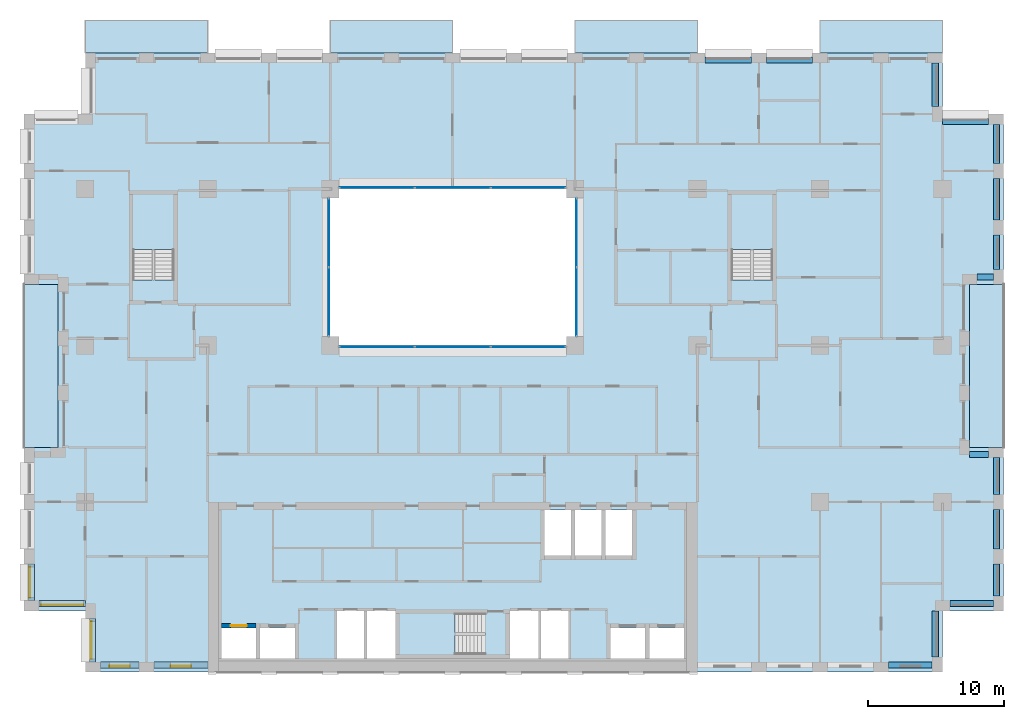
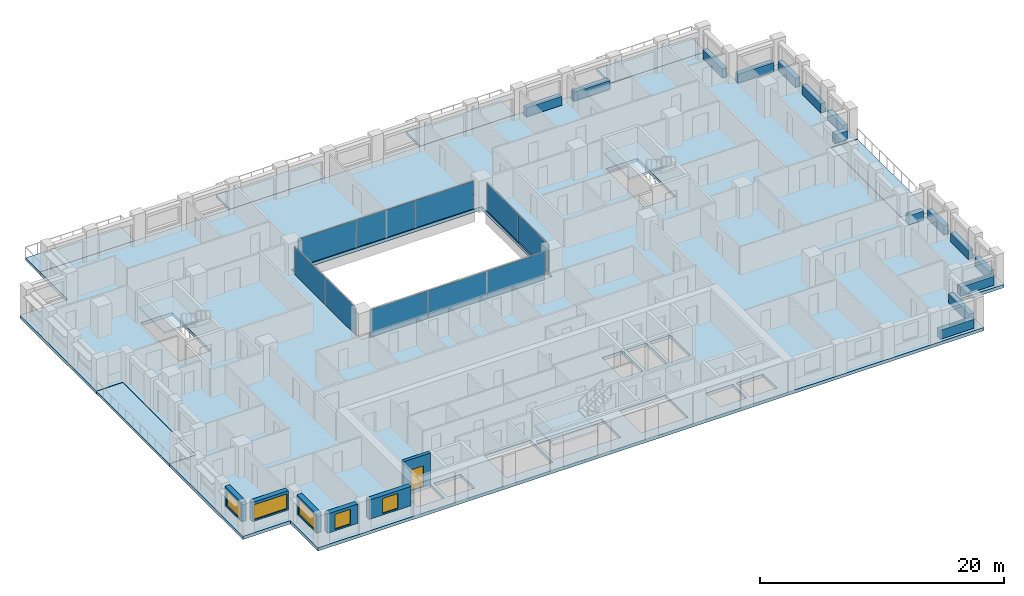
# One storey, part 7 of 16: 15 beams, 10 plates, 10 slabs, 6 walls, 5 windows, 1 door, 6 openings, 7 elements without a shape of their own.
"""IFC4 building model written with IfcOpenShell, lengths in metres."""

from ifc_helpers import new_model, si_unit, direction, frame, frame_2d, origin, origin_2d, place, context, subcontext, project, spatial, polyline, rectangle, outline, extrude, material, layer, layer_set, material_profile, profile_set, type_object, element, fill, aggregate, save


model = new_model("IFC4")

# Units and contexts
model_context = context("Model", 3, precision=1e-05, world=origin(), true_north=direction((0.0, 1.0)))
body_context = subcontext(model_context, "Body", "Model", "MODEL_VIEW")
ifc_project = project(units=[si_unit("LENGTHUNIT", "METRE"), si_unit("AREAUNIT", "SQUARE_METRE"), si_unit("VOLUMEUNIT", "CUBIC_METRE"), si_unit("PLANEANGLEUNIT", "RADIAN"), si_unit("MASSUNIT", "GRAM", prefix="KILO")], contexts=[model_context])

# Site, building, storey
site_placement = place(None, origin())
site = spatial("IfcSite", under=ifc_project, at=site_placement, CompositionType="ELEMENT")
building_placement = place(site_placement, origin())
building = spatial("IfcBuilding", under=site, at=building_placement, Name="Brigalow Station Residences", CompositionType="ELEMENT")
storey_placement = place(building_placement, frame((0.0, 0.0, 102.449951171875)))
storey = spatial("IfcBuildingStorey", under=building, at=storey_placement, Name="L29", CompositionType="ELEMENT", Elevation=102.449951171875)

# Beams
ifc_material_1 = material(Name="Concrete C65", Category="concrete")
ifc_material_profile = material_profile(ifc_material_1, rectangle(XDim=0.449951171875, YDim=0.89990234375, at=origin_2d()), Name="RC450x900")
ifc_profile_set = profile_set([ifc_material_profile], Name="Concrete C65")
beam_type = type_object("IfcBeamType", Name="SPANDREL BEAM 450x900 C65", PredefinedType="SPANDREL", material=ifc_profile_set)
beam_1_placement = place(storey_placement, frame((68.050048828125, 0.52490234375, 0.449951171875), z_axis=(1.0, 0.0, 0.0), x_axis=(0.0, 1.0, 0.0)))
element("IfcBeam", 1, at=beam_1_placement, inside=storey, type_object=beam_type, Name="L29/spandrel/W-L29-7", PredefinedType="SPANDREL", context=body_context, shape_type="SweptSolid", body=[
    extrude(rectangle(XDim=0.449951171875, YDim=0.89990234375, at=origin_2d()), origin(), (0.0, 0.0, 1.0), 3.199951171875),
])
beam_2_placement = place(storey_placement, frame((71.47509765625, 1.10009765625, 0.449951171875), z_axis=(0.0, 1.0, 0.0), x_axis=(-1.0, 0.0, 0.0)))
element("IfcBeam", 2, at=beam_2_placement, inside=storey, type_object=beam_type, Name="L29/spandrel/W-L29-8", PredefinedType="SPANDREL", context=body_context, shape_type="SweptSolid", body=[
    extrude(rectangle(XDim=0.449951171875, YDim=0.89990234375, at=origin_2d()), origin(), (0.0, 0.0, 1.0), 3.39990234375),
])
beam_3_placement = place(storey_placement, frame((72.550048828125, 5.02490234375, 0.449951171875), z_axis=(1.0, 0.0, 0.0), x_axis=(0.0, 1.0, 0.0)))
element("IfcBeam", 3, at=beam_3_placement, inside=storey, type_object=beam_type, Name="L29/spandrel/W-L29-9", PredefinedType="SPANDREL", context=body_context, shape_type="SweptSolid", body=[
    extrude(rectangle(XDim=0.449951171875, YDim=0.89990234375, at=origin_2d()), origin(), (0.0, 0.0, 1.0), 3.199951171875),
])
beam_4_placement = place(storey_placement, frame((75.97509765625, 5.60009765625, 0.449951171875), z_axis=(0.0, 1.0, 0.0), x_axis=(-1.0, 0.0, 0.0)))
element("IfcBeam", 4, at=beam_4_placement, inside=storey, type_object=beam_type, Name="L29/spandrel/W-L29-10", PredefinedType="SPANDREL", context=body_context, shape_type="SweptSolid", body=[
    extrude(rectangle(XDim=0.449951171875, YDim=0.89990234375, at=origin_2d()), origin(), (0.0, 0.0, 1.0), 2.349853515625),
])
beam_5_placement = place(storey_placement, frame((75.97509765625, 9.050048828125, 0.449951171875), z_axis=(0.0, 1.0, 0.0), x_axis=(-1.0, 0.0, 0.0)))
element("IfcBeam", 5, at=beam_5_placement, inside=storey, type_object=beam_type, Name="L29/spandrel/W-L29-11", PredefinedType="SPANDREL", context=body_context, shape_type="SweptSolid", body=[
    extrude(rectangle(XDim=0.449951171875, YDim=0.89990234375, at=origin_2d()), origin(), (0.0, 0.0, 1.0), 2.89990234375),
])
beam_6_placement = place(storey_placement, frame((75.97509765625, 13.050048828125, 0.449951171875), z_axis=(0.0, 1.0, 0.0), x_axis=(-1.0, 0.0, 0.0)))
element("IfcBeam", 6, at=beam_6_placement, inside=storey, type_object=beam_type, Name="L29/spandrel/W-L29-12", PredefinedType="SPANDREL", context=body_context, shape_type="SweptSolid", body=[
    extrude(rectangle(XDim=0.449951171875, YDim=0.89990234375, at=origin_2d()), origin(), (0.0, 0.0, 1.0), 2.699951171875),
])
beam_7_placement = place(storey_placement, frame((75.39990234375, 15.97509765625, 0.449951171875), z_axis=(-1.0, 0.0, 0.0), x_axis=(0.0, -1.0, 0.0)))
element("IfcBeam", 7, at=beam_7_placement, inside=storey, type_object=beam_type, Name="L29/spandrel/W-L29-13", PredefinedType="SPANDREL", context=body_context, shape_type="SweptSolid", body=[
    extrude(rectangle(XDim=0.449951171875, YDim=0.89990234375, at=origin_2d()), origin(), (0.0, 0.0, 1.0), 1.39990234375),
])
beam_8_placement = place(storey_placement, frame((74.550048828125, 29.02490234375, 0.449951171875), z_axis=(1.0, 0.0, 0.0), x_axis=(0.0, 1.0, 0.0)))
element("IfcBeam", 8, at=beam_8_placement, inside=storey, type_object=beam_type, Name="L29/spandrel/W-L29-17", PredefinedType="SPANDREL", context=body_context, shape_type="SweptSolid", body=[
    extrude(rectangle(XDim=0.449951171875, YDim=0.89990234375, at=origin_2d()), origin(), (0.0, 0.0, 1.0), 1.199951171875),
])
beam_9_placement = place(storey_placement, frame((75.97509765625, 29.60009765625, 0.449951171875), z_axis=(0.0, 1.0, 0.0), x_axis=(-1.0, 0.0, 0.0)))
element("IfcBeam", 9, at=beam_9_placement, inside=storey, type_object=beam_type, Name="L29/spandrel/W-L29-18", PredefinedType="SPANDREL", context=body_context, shape_type="SweptSolid", body=[
    extrude(rectangle(XDim=0.449951171875, YDim=0.89990234375, at=origin_2d()), origin(), (0.0, 0.0, 1.0), 2.516845703125),
])
beam_10_placement = place(storey_placement, frame((75.97509765625, 33.217041015625, 0.449951171875), z_axis=(0.0, 1.0, 0.0), x_axis=(-1.0, 0.0, 0.0)))
element("IfcBeam", 10, at=beam_10_placement, inside=storey, type_object=beam_type, Name="L29/spandrel/W-L29-19", PredefinedType="SPANDREL", context=body_context, shape_type="SweptSolid", body=[
    extrude(rectangle(XDim=0.449951171875, YDim=0.89990234375, at=origin_2d()), origin(), (0.0, 0.0, 1.0), 3.06591796875),
])
beam_11_placement = place(storey_placement, frame((75.97509765625, 37.383056640625, 0.449951171875), z_axis=(0.0, 1.0, 0.0), x_axis=(-1.0, 0.0, 0.0)))
element("IfcBeam", 11, at=beam_11_placement, inside=storey, type_object=beam_type, Name="L29/spandrel/W-L29-20", PredefinedType="SPANDREL", context=body_context, shape_type="SweptSolid", body=[
    extrude(rectangle(XDim=0.449951171875, YDim=0.89990234375, at=origin_2d()), origin(), (0.0, 0.0, 1.0), 2.866943359375),
])
beam_12_placement = place(storey_placement, frame((75.39990234375, 40.47509765625, 0.449951171875), z_axis=(-1.0, 0.0, 0.0), x_axis=(0.0, -1.0, 0.0)))
element("IfcBeam", 12, at=beam_12_placement, inside=storey, type_object=beam_type, Name="L29/spandrel/W-L29-21", PredefinedType="SPANDREL", context=body_context, shape_type="SweptSolid", body=[
    extrude(rectangle(XDim=0.449951171875, YDim=0.89990234375, at=origin_2d()), origin(), (0.0, 0.0, 1.0), 3.39990234375),
])
beam_13_placement = place(storey_placement, frame((71.47509765625, 41.550048828125, 0.449951171875), z_axis=(0.0, 1.0, 0.0), x_axis=(-1.0, 0.0, 0.0)))
element("IfcBeam", 13, at=beam_13_placement, inside=storey, type_object=beam_type, Name="L29/spandrel/W-L29-22", PredefinedType="SPANDREL", context=body_context, shape_type="SweptSolid", body=[
    extrude(rectangle(XDim=0.449951171875, YDim=0.89990234375, at=origin_2d()), origin(), (0.0, 0.0, 1.0), 3.199951171875),
])
for number, where, z_axis, x_axis, name in (
    (14, (62.449951171875, 44.97509765625, 0.449951171875), (-1.0, 0.0, 0.0), (0.0, -1.0, 0.0), "L29/spandrel/W-L29-25"),
    (15, (57.949951171875, 44.97509765625, 0.449951171875), (-1.0, 0.0, 0.0), (0.0, -1.0, 0.0), "L29/spandrel/W-L29-26"),
):
    element("IfcBeam", number, at=place(storey_placement, frame(where, z_axis=z_axis, x_axis=x_axis)), inside=storey, type_object=beam_type, Name=name, PredefinedType="SPANDREL", context=body_context, shape_type="SweptSolid", body=[
        extrude(rectangle(XDim=0.449951171875, YDim=0.89990234375, at=origin_2d()), origin(), (0.0, 0.0, 1.0), 3.39990234375),
    ])

# Curtain wall, plates
ifc_material_2 = material(Name="Aluminium", Category="aluminium")
ifc_layer_1 = layer(ifc_material_2, 0.14990234375)
ifc_layer_set_1 = layer_set([ifc_layer_1], Name="ATRIUM FIRE-RATED GLAZING CURTAIN WALL")
curtain_wall_type = type_object("IfcCurtainWallType", Name="ATRIUM FIRE-RATED GLAZING CURTAIN WALL", PredefinedType="NOTDEFINED", material=ifc_layer_set_1)
curtain_wall_1_placement = place(storey_placement, origin())
curtain_wall_1 = element("IfcCurtainWall", 16, at=curtain_wall_1_placement, inside=storey, type_object=curtain_wall_type, Name="L29/cw/atrium-S", PredefinedType="NOTDEFINED")
ifc_material_3 = material(Name="Fire-resisting laminated glazing, FRL -/60/-", Category="glass")
ifc_layer_2 = layer(ifc_material_3, 0.031982421875)
ifc_layer_set_2 = layer_set([ifc_layer_2], Name="ATRIUM FIRE-RATED GLAZING PANEL 32")
plate_type = type_object("IfcPlateType", Name="ATRIUM FIRE-RATED GLAZING PANEL 32", PredefinedType="CURTAIN_PANEL", material=ifc_layer_set_2)
plate_1_placement = place(storey_placement, frame((30.4482421875, 23.89990234375, 0.0), z_axis=(0.0, 0.0, 1.0), x_axis=(1.0, 0.0, 0.0)))
plate_1 = element("IfcPlate", 17, at=plate_1_placement, type_object=plate_type, Name="L29/cw/atrium-S/P00-00", PredefinedType="CURTAIN_PANEL", context=body_context, shape_type="SweptSolid", body=[
    extrude(rectangle(XDim=5.476806640625, YDim=0.031982421875, at=origin_2d()), origin(), (0.0, 0.0, 1.0), 2.77001953125),
])
plate_2_placement = place(storey_placement, frame((36.0, 23.89990234375, 0.0), z_axis=(0.0, 0.0, 1.0), x_axis=(1.0, 0.0, 0.0)))
plate_2 = element("IfcPlate", 18, at=plate_2_placement, type_object=plate_type, Name="L29/cw/atrium-S/P01-00", PredefinedType="CURTAIN_PANEL", context=body_context, shape_type="SweptSolid", body=[
    extrude(rectangle(XDim=5.506591796875, YDim=0.031982421875, at=origin_2d()), origin(), (0.0, 0.0, 1.0), 2.77001953125),
])
plate_3_placement = place(storey_placement, frame((41.5517578125, 23.89990234375, 0.0), z_axis=(0.0, 0.0, 1.0), x_axis=(1.0, 0.0, 0.0)))
plate_3 = element("IfcPlate", 19, at=plate_3_placement, type_object=plate_type, Name="L29/cw/atrium-S/P02-00", PredefinedType="CURTAIN_PANEL", context=body_context, shape_type="SweptSolid", body=[
    extrude(rectangle(XDim=5.476806640625, YDim=0.031982421875, at=origin_2d()), origin(), (0.0, 0.0, 1.0), 2.77001953125),
])
aggregate(curtain_wall_1, [plate_1, plate_2, plate_3])

curtain_wall_2_placement = place(storey_placement, origin())
curtain_wall_2 = element("IfcCurtainWall", 20, at=curtain_wall_2_placement, inside=storey, type_object=curtain_wall_type, Name="L29/cw/atrium-E", PredefinedType="NOTDEFINED")
plate_4_placement = place(storey_placement, frame((45.10009765625, 27.215087890625, 0.0), z_axis=(0.0, 0.0, 1.0), x_axis=(0.0, 1.0, 0.0)))
plate_4 = element("IfcPlate", 21, at=plate_4_placement, type_object=plate_type, Name="L29/cw/atrium-E/P00-00", PredefinedType="CURTAIN_PANEL", context=body_context, shape_type="SweptSolid", body=[
    extrude(rectangle(XDim=5.010009765625, YDim=0.031982421875, at=origin_2d()), origin(), (0.0, 0.0, 1.0), 2.77001953125),
])
plate_5_placement = place(storey_placement, frame((45.10009765625, 32.284912109375, 0.0), z_axis=(0.0, 0.0, 1.0), x_axis=(0.0, 1.0, 0.0)))
plate_5 = element("IfcPlate", 22, at=plate_5_placement, type_object=plate_type, Name="L29/cw/atrium-E/P01-00", PredefinedType="CURTAIN_PANEL", context=body_context, shape_type="SweptSolid", body=[
    extrude(rectangle(XDim=5.010009765625, YDim=0.031982421875, at=origin_2d()), origin(), (0.0, 0.0, 1.0), 2.77001953125),
])
aggregate(curtain_wall_2, [plate_4, plate_5])

curtain_wall_3_placement = place(storey_placement, origin())
curtain_wall_3 = element("IfcCurtainWall", 23, at=curtain_wall_3_placement, inside=storey, type_object=curtain_wall_type, Name="L29/cw/atrium-N", PredefinedType="NOTDEFINED")
plate_6_placement = place(storey_placement, frame((41.5517578125, 35.60009765625, 0.0), z_axis=(0.0, 0.0, 1.0), x_axis=(-1.0, 0.0, 0.0)))
plate_6 = element("IfcPlate", 24, at=plate_6_placement, type_object=plate_type, Name="L29/cw/atrium-N/P00-00", PredefinedType="CURTAIN_PANEL", context=body_context, shape_type="SweptSolid", body=[
    extrude(rectangle(XDim=5.476806640625, YDim=0.031982421875, at=origin_2d()), origin(), (0.0, 0.0, 1.0), 2.77001953125),
])
plate_7_placement = place(storey_placement, frame((36.0, 35.60009765625, 0.0), z_axis=(0.0, 0.0, 1.0), x_axis=(-1.0, 0.0, 0.0)))
plate_7 = element("IfcPlate", 25, at=plate_7_placement, type_object=plate_type, Name="L29/cw/atrium-N/P01-00", PredefinedType="CURTAIN_PANEL", context=body_context, shape_type="SweptSolid", body=[
    extrude(rectangle(XDim=5.506591796875, YDim=0.031982421875, at=origin_2d()), origin(), (0.0, 0.0, 1.0), 2.77001953125),
])
plate_8_placement = place(storey_placement, frame((30.4482421875, 35.60009765625, 0.0), z_axis=(0.0, 0.0, 1.0), x_axis=(-1.0, 0.0, 0.0)))
plate_8 = element("IfcPlate", 26, at=plate_8_placement, type_object=plate_type, Name="L29/cw/atrium-N/P02-00", PredefinedType="CURTAIN_PANEL", context=body_context, shape_type="SweptSolid", body=[
    extrude(rectangle(XDim=5.476806640625, YDim=0.031982421875, at=origin_2d()), origin(), (0.0, 0.0, 1.0), 2.77001953125),
])
aggregate(curtain_wall_3, [plate_6, plate_7, plate_8])

curtain_wall_4_placement = place(storey_placement, origin())
curtain_wall_4 = element("IfcCurtainWall", 27, at=curtain_wall_4_placement, inside=storey, type_object=curtain_wall_type, Name="L29/cw/atrium-W", PredefinedType="NOTDEFINED")
plate_9_placement = place(storey_placement, frame((26.89990234375, 32.284912109375, 0.0), z_axis=(0.0, 0.0, 1.0), x_axis=(0.0, -1.0, 0.0)))
plate_9 = element("IfcPlate", 28, at=plate_9_placement, type_object=plate_type, Name="L29/cw/atrium-W/P00-00", PredefinedType="CURTAIN_PANEL", context=body_context, shape_type="SweptSolid", body=[
    extrude(rectangle(XDim=5.010009765625, YDim=0.031982421875, at=origin_2d()), origin(), (0.0, 0.0, 1.0), 2.77001953125),
])
plate_10_placement = place(storey_placement, frame((26.89990234375, 27.215087890625, 0.0), z_axis=(0.0, 0.0, 1.0), x_axis=(0.0, -1.0, 0.0)))
plate_10 = element("IfcPlate", 29, at=plate_10_placement, type_object=plate_type, Name="L29/cw/atrium-W/P01-00", PredefinedType="CURTAIN_PANEL", context=body_context, shape_type="SweptSolid", body=[
    extrude(rectangle(XDim=5.010009765625, YDim=0.031982421875, at=origin_2d()), origin(), (0.0, 0.0, 1.0), 2.77001953125),
])
aggregate(curtain_wall_4, [plate_9, plate_10])

# Slabs
ifc_material_4 = material(Name="Concrete C50 precast", Category="concrete")
ifc_layer_3 = layer(ifc_material_4, 0.25)
ifc_layer_set_3 = layer_set([ifc_layer_3], Name="BALCONY SLAB 250")
slab_type_1 = type_object("IfcSlabType", Name="BALCONY SLAB 250", PredefinedType="USERDEFINED", material=ifc_layer_set_3)
slab_1_placement = place(storey_placement, frame((0.0, 0.0, -0.2900390625)))
element("IfcSlab", 30, at=slab_1_placement, inside=storey, type_object=slab_type_1, Name="L29/balcony/1", ObjectType="BALCONY", PredefinedType="USERDEFINED", context=body_context, shape_type="SweptSolid", body=[
    extrude(outline(polyline([(74.0, 16.5), (76.5, 16.5), (76.5, 28.5), (74.0, 28.5), (74.0, 16.5)])), origin(), (0.0, 0.0, 1.0), 0.25),
])
slab_2_placement = place(storey_placement, frame((0.0, 0.0, -0.2900390625)))
element("IfcSlab", 31, at=slab_2_placement, inside=storey, type_object=slab_type_1, Name="L29/balcony/2", ObjectType="BALCONY", PredefinedType="USERDEFINED", context=body_context, shape_type="SweptSolid", body=[
    extrude(outline(polyline([(72.0, 45.5), (72.0, 47.89990234375), (63.0, 47.89990234375), (63.0, 45.5), (72.0, 45.5)])), origin(), (0.0, 0.0, 1.0), 0.25),
])
slab_3_placement = place(storey_placement, frame((0.0, 0.0, -0.2900390625)))
element("IfcSlab", 32, at=slab_3_placement, inside=storey, type_object=slab_type_1, Name="L29/balcony/3", ObjectType="BALCONY", PredefinedType="USERDEFINED", context=body_context, shape_type="SweptSolid", body=[
    extrude(outline(polyline([(54.0, 45.5), (54.0, 47.89990234375), (45.0, 47.89990234375), (45.0, 45.5), (54.0, 45.5)])), origin(), (0.0, 0.0, 1.0), 0.25),
])
slab_4_placement = place(storey_placement, frame((0.0, 0.0, -0.2900390625)))
element("IfcSlab", 33, at=slab_4_placement, inside=storey, type_object=slab_type_1, Name="L29/balcony/4", ObjectType="BALCONY", PredefinedType="USERDEFINED", context=body_context, shape_type="SweptSolid", body=[
    extrude(outline(polyline([(36.0, 45.5), (36.0, 47.89990234375), (27.0, 47.89990234375), (27.0, 45.5), (36.0, 45.5)])), origin(), (0.0, 0.0, 1.0), 0.25),
])
slab_5_placement = place(storey_placement, frame((0.0, 0.0, -0.2900390625)))
element("IfcSlab", 34, at=slab_5_placement, inside=storey, type_object=slab_type_1, Name="L29/balcony/5", ObjectType="BALCONY", PredefinedType="USERDEFINED", context=body_context, shape_type="SweptSolid", body=[
    extrude(outline(polyline([(18.0, 45.5), (18.0, 47.89990234375), (9.0, 47.89990234375), (9.0, 45.5), (18.0, 45.5)])), origin(), (0.0, 0.0, 1.0), 0.25),
])
slab_6_placement = place(storey_placement, frame((0.0, 0.0, -0.2900390625)))
element("IfcSlab", 35, at=slab_6_placement, inside=storey, type_object=slab_type_1, Name="L29/balcony/6", ObjectType="BALCONY", PredefinedType="USERDEFINED", context=body_context, shape_type="SweptSolid", body=[
    extrude(outline(polyline([(7.0, 28.5), (4.5, 28.5), (4.5, 16.5), (7.0, 16.5), (7.0, 28.5)])), origin(), (0.0, 0.0, 1.0), 0.25),
])
ifc_material_5 = material(Name="Concrete C50", Category="concrete")
ifc_layer_4 = layer(ifc_material_5, 0.320068359375)
ifc_layer_set_4 = layer_set([ifc_layer_4], Name="POST-TENSIONED FLAT PLATE 320 C50")
slab_type_2 = type_object("IfcSlabType", Name="POST-TENSIONED FLAT PLATE 320 C50", PredefinedType="FLOOR", material=ifc_layer_set_4)
slab_7_placement = place(storey_placement, frame((0.0, 0.0, -0.320068359375)))
element("IfcSlab", 36, at=slab_7_placement, inside=storey, type_object=slab_type_2, Name="FLOOR SLAB L29", PredefinedType="FLOOR", context=body_context, shape_type="SweptSolid", body=[
    extrude(outline(polyline([(9.0, 0.0), (72.0, 0.0), (72.0, 4.5), (76.5, 4.5), (76.5, 16.5), (74.0, 16.5), (74.0, 28.5), (76.5, 28.5), (76.5, 41.0), (72.0, 41.0), (72.0, 45.5), (9.0, 45.5), (9.0, 41.0), (4.5, 41.0), (4.5, 28.5), (7.0, 28.5), (7.0, 16.5), (4.5, 16.5), (4.5, 4.5), (9.0, 4.5), (9.0, 0.0)]), holes=[polyline([(12.5048828125, 35.094970703125), (15.4951171875, 35.094970703125), (15.4951171875, 28.804931640625), (12.5048828125, 28.804931640625), (12.5048828125, 35.094970703125)]), polyline([(19.0, 1.0), (19.0, 3.25), (21.550048828125, 3.25), (21.550048828125, 1.0), (19.0, 1.0)]), polyline([(21.85009765625, 3.25), (24.39990234375, 3.25), (24.39990234375, 1.0), (21.85009765625, 1.0), (21.85009765625, 3.25)]), polyline([(27.0, 35.5), (45.0, 35.5), (45.0, 24.0), (27.0, 24.0), (27.0, 35.5)]), polyline([(29.60009765625, 4.60009765625), (31.800048828125, 4.60009765625), (31.800048828125, 1.0), (29.60009765625, 1.0), (27.39990234375, 1.0), (27.39990234375, 4.60009765625), (29.60009765625, 4.60009765625)]), polyline([(32.10498046875, 4.294921875), (38.39501953125, 4.294921875), (38.39501953125, 1.304931640625), (32.10498046875, 1.304931640625), (32.10498046875, 4.294921875)]), polyline([(40.199951171875, 4.60009765625), (42.39990234375, 4.60009765625), (44.60009765625, 4.60009765625), (44.60009765625, 1.0), (42.39990234375, 1.0), (40.199951171875, 1.0), (40.199951171875, 4.60009765625)]), polyline([(42.75, 11.89990234375), (44.699951171875, 11.89990234375), (44.699951171875, 8.550048828125), (42.75, 8.550048828125), (42.75, 11.89990234375)]), polyline([(45.0, 11.89990234375), (46.949951171875, 11.89990234375), (46.949951171875, 8.550048828125), (45.0, 8.550048828125), (45.0, 11.89990234375)]), polyline([(47.25, 11.89990234375), (49.199951171875, 11.89990234375), (49.199951171875, 8.550048828125), (47.25, 8.550048828125), (47.25, 11.89990234375)]), polyline([(47.60009765625, 3.25), (50.14990234375, 3.25), (50.14990234375, 1.0), (47.60009765625, 1.0), (47.60009765625, 3.25)]), polyline([(50.449951171875, 3.25), (53.0, 3.25), (53.0, 1.0), (50.449951171875, 1.0), (50.449951171875, 3.25)]), polyline([(56.5048828125, 35.094970703125), (59.4951171875, 35.094970703125), (59.4951171875, 28.804931640625), (56.5048828125, 28.804931640625), (56.5048828125, 35.094970703125)])]), origin(), (0.0, 0.0, 1.0), 0.320068359375),
])

# Stair, slab
ifc_material_6 = material(Name="Concrete C50", Category="concrete")
stair_type = type_object("IfcStairType", Name="EXIT STAIR 1400 2 FLIGHT", PredefinedType="HALF_TURN_STAIR", material=ifc_material_6)
stair_1_placement = place(storey_placement, origin())
stair_1 = element("IfcStair", 37, at=stair_1_placement, inside=storey, type_object=stair_type, Name="EXIT STAIR S2 L29", PredefinedType="HALF_TURN_STAIR")
ifc_material_7 = material(Name="Concrete C50", Category="concrete")
ifc_layer_5 = layer(ifc_material_7, 0.199951171875)
ifc_layer_set_5 = layer_set([ifc_layer_5], Name="STAIR LANDING 200")
slab_type_3 = type_object("IfcSlabType", Name="STAIR LANDING 200", PredefinedType="LANDING", material=ifc_layer_set_5)
slab_8_placement = place(storey_placement, frame((0.0, 0.0, 1.375)))
slab_8 = element("IfcSlab", 38, at=slab_8_placement, type_object=slab_type_3, Name="ST-2 landing 1", PredefinedType="LANDING", context=body_context, shape_type="SweptSolid", body=[
    extrude(outline(polyline([(32.0, 1.199951171875), (36.159912109375, 1.199951171875), (36.159912109375, 4.39990234375), (32.0, 4.39990234375), (32.0, 1.199951171875)])), origin(), (0.0, 0.0, 1.0), 0.199951171875),
])
aggregate(stair_1, [slab_8])

stair_2_placement = place(storey_placement, origin())
stair_2 = element("IfcStair", 39, at=stair_2_placement, inside=storey, type_object=stair_type, Name="EXIT STAIR S1 L29", PredefinedType="HALF_TURN_STAIR")
slab_9_placement = place(storey_placement, frame((0.0, 0.0, 1.375)))
slab_9 = element("IfcSlab", 40, at=slab_9_placement, type_object=slab_type_3, Name="ST-1 landing 1", PredefinedType="LANDING", context=body_context, shape_type="SweptSolid", body=[
    extrude(outline(polyline([(12.39990234375, 31.0400390625), (15.60009765625, 31.0400390625), (15.60009765625, 35.199951171875), (12.39990234375, 35.199951171875), (12.39990234375, 31.0400390625)])), origin(), (0.0, 0.0, 1.0), 0.199951171875),
])
aggregate(stair_2, [slab_9])

stair_3_placement = place(storey_placement, origin())
stair_3 = element("IfcStair", 41, at=stair_3_placement, inside=storey, type_object=stair_type, Name="EXIT STAIR S3 L29", PredefinedType="HALF_TURN_STAIR")
slab_10_placement = place(storey_placement, frame((0.0, 0.0, 1.375)))
slab_10 = element("IfcSlab", 42, at=slab_10_placement, type_object=slab_type_3, Name="ST-3 landing 1", PredefinedType="LANDING", context=body_context, shape_type="SweptSolid", body=[
    extrude(outline(polyline([(56.39990234375, 31.0400390625), (59.60009765625, 31.0400390625), (59.60009765625, 35.199951171875), (56.39990234375, 35.199951171875), (56.39990234375, 31.0400390625)])), origin(), (0.0, 0.0, 1.0), 0.199951171875),
])
aggregate(stair_3, [slab_10])

# Wall, opening, window
ifc_material_8 = material(Name="Clay brick masonry", Category="masonry")
ifc_layer_6 = layer(ifc_material_8, 0.449951171875)
ifc_layer_set_6 = layer_set([ifc_layer_6], Name="BRICK INFILL WALL 450")
wall_type_1 = type_object("IfcWallType", Name="BRICK INFILL WALL 450", PredefinedType="SOLIDWALL", material=ifc_layer_set_6)
wall_1_placement = place(storey_placement, frame((10.10009765625, 0.52490234375, 0.900146484375), z_axis=(0.0, 0.0, 1.0), x_axis=(1.0, 0.0, 0.0)))
wall_1 = element("IfcWall", 43, at=wall_1_placement, inside=storey, type_object=wall_type_1, Name="L29/ewall/W-L29-1", PredefinedType="SOLIDWALL", context=body_context, shape_type="SweptSolid", body=[
    extrude(rectangle(XDim=2.849853515625, YDim=0.449951171875, at=frame_2d((1.4248046875, 0.0))), origin(), (0.0, 0.0, 1.0), 1.929931640625),
])
opening_1_placement = place(wall_1_placement, frame((0.675048828125, 0.0, 0.14990234375)))
opening_1 = element("IfcOpeningElement", 44, at=opening_1_placement, cuts=wall_1, Name="Opening WT-1", PredefinedType="OPENING", context=body_context, shape_type="SweptSolid", body=[
    extrude(rectangle(XDim=1.5, YDim=1.5, at=frame_2d((0.75, 0.75))), frame((0.0, 0.23486328125, 0.0), z_axis=(0.0, -1.0, 0.0), x_axis=(1.0, 0.0, 0.0)), (0.0, 0.0, 1.0), 0.469970703125),
])
ifc_material_9 = material(Name="Anodised aluminium frame with double glazing", Category="aluminium")
window_type_1 = type_object("IfcWindowType", Name="WINDOW 1500x1500", PartitioningType="SINGLE_PANEL", PredefinedType="WINDOW", material=ifc_material_9)
window_1_placement = place(opening_1_placement, origin())
window_1 = element("IfcWindow", 45, at=window_1_placement, inside=storey, type_object=window_type_1, Name="L29/window/W-L29-1", OverallHeight=1.5, OverallWidth=1.5, PartitioningType="SINGLE_PANEL", PredefinedType="WINDOW", context=body_context, shape_type="SweptSolid", body=[
    extrude(rectangle(XDim=1.5, YDim=1.5, at=frame_2d((0.75, 0.75))), frame((0.0, -0.06494140625, 0.0), z_axis=(0.0, -1.0, 0.0), x_axis=(1.0, 0.0, 0.0)), (0.0, 0.0, 1.0), 0.06005859375),
])
fill(opening_1, window_1)

wall_2_placement = place(storey_placement, frame((14.050048828125, 0.52490234375, 0.900146484375), z_axis=(0.0, 0.0, 1.0), x_axis=(1.0, 0.0, 0.0)))
wall_2 = element("IfcWall", 46, at=wall_2_placement, inside=storey, type_object=wall_type_1, Name="L29/ewall/W-L29-2", PredefinedType="SOLIDWALL", context=body_context, shape_type="SweptSolid", body=[
    extrude(rectangle(XDim=3.949951171875, YDim=0.449951171875, at=frame_2d((1.97509765625, 0.0))), origin(), (0.0, 0.0, 1.0), 1.929931640625),
])
opening_2_placement = place(wall_2_placement, frame((1.22509765625, 0.0, 0.14990234375)))
opening_2 = element("IfcOpeningElement", 47, at=opening_2_placement, cuts=wall_2, Name="Opening WT-1", PredefinedType="OPENING", context=body_context, shape_type="SweptSolid", body=[
    extrude(rectangle(XDim=1.5, YDim=1.5, at=frame_2d((0.75, 0.75))), frame((0.0, 0.23486328125, 0.0), z_axis=(0.0, -1.0, 0.0), x_axis=(1.0, 0.0, 0.0)), (0.0, 0.0, 1.0), 0.469970703125),
])
window_2_placement = place(opening_2_placement, origin())
window_2 = element("IfcWindow", 48, at=window_2_placement, inside=storey, type_object=window_type_1, Name="L29/window/W-L29-2", OverallHeight=1.5, OverallWidth=1.5, PartitioningType="SINGLE_PANEL", PredefinedType="WINDOW", context=body_context, shape_type="SweptSolid", body=[
    extrude(rectangle(XDim=1.5, YDim=1.5, at=frame_2d((0.75, 0.75))), frame((0.0, -0.06494140625, 0.0), z_axis=(0.0, -1.0, 0.0), x_axis=(1.0, 0.0, 0.0)), (0.0, 0.0, 1.0), 0.06005859375),
])
fill(opening_2, window_2)

wall_3_placement = place(storey_placement, frame((5.02490234375, 7.949951171875, 0.900146484375), z_axis=(0.0, 0.0, 1.0), x_axis=(0.0, -1.0, 0.0)))
wall_3 = element("IfcWall", 49, at=wall_3_placement, inside=storey, type_object=wall_type_1, Name="L29/ewall/W-L29-49", PredefinedType="SOLIDWALL", context=body_context, shape_type="SweptSolid", body=[
    extrude(rectangle(XDim=2.699951171875, YDim=0.449951171875, at=frame_2d((1.35009765625, 0.0))), origin(), (0.0, 0.0, 1.0), 1.929931640625),
])
opening_3_placement = place(wall_3_placement, frame((0.22509765625, 0.0, 0.14990234375)))
opening_3 = element("IfcOpeningElement", 50, at=opening_3_placement, cuts=wall_3, Name="Opening WT-6", PredefinedType="OPENING", context=body_context, shape_type="SweptSolid", body=[
    extrude(rectangle(XDim=2.25, YDim=1.5, at=frame_2d((1.125, 0.75))), frame((0.0, 0.23486328125, 0.0), z_axis=(0.0, -1.0, 0.0), x_axis=(1.0, 0.0, 0.0)), (0.0, 0.0, 1.0), 0.469970703125),
])
ifc_material_10 = material(Name="Anodised aluminium frame with double glazing", Category="aluminium")
window_type_2 = type_object("IfcWindowType", Name="WINDOW 2250x1500", PartitioningType="SINGLE_PANEL", PredefinedType="WINDOW", material=ifc_material_10)
window_3_placement = place(opening_3_placement, origin())
window_3 = element("IfcWindow", 51, at=window_3_placement, inside=storey, type_object=window_type_2, Name="L29/window/W-L29-49", OverallHeight=1.5, OverallWidth=2.25, PartitioningType="SINGLE_PANEL", PredefinedType="WINDOW", context=body_context, shape_type="SweptSolid", body=[
    extrude(rectangle(XDim=2.25, YDim=1.5, at=frame_2d((1.125, 0.75))), frame((0.0, -0.06494140625, 0.0), z_axis=(0.0, -1.0, 0.0), x_axis=(1.0, 0.0, 0.0)), (0.0, 0.0, 1.0), 0.06005859375),
])
fill(opening_3, window_3)

wall_4_placement = place(storey_placement, frame((5.60009765625, 5.02490234375, 0.900146484375), z_axis=(0.0, 0.0, 1.0), x_axis=(1.0, 0.0, 0.0)))
wall_4 = element("IfcWall", 52, at=wall_4_placement, inside=storey, type_object=wall_type_1, Name="L29/ewall/W-L29-50", PredefinedType="SOLIDWALL", context=body_context, shape_type="SweptSolid", body=[
    extrude(rectangle(XDim=3.39990234375, YDim=0.449951171875, at=frame_2d((1.699951171875, 0.0))), origin(), (0.0, 0.0, 1.0), 1.929931640625),
])
opening_4_placement = place(wall_4_placement, frame((0.14990234375, 0.0, 0.14990234375)))
opening_4 = element("IfcOpeningElement", 53, at=opening_4_placement, cuts=wall_4, Name="Opening WT-8", PredefinedType="OPENING", context=body_context, shape_type="SweptSolid", body=[
    extrude(rectangle(XDim=3.10009765625, YDim=1.5, at=frame_2d((1.550048828125, 0.75))), frame((0.0, 0.23486328125, 0.0), z_axis=(0.0, -1.0, 0.0), x_axis=(1.0, 0.0, 0.0)), (0.0, 0.0, 1.0), 0.469970703125),
])
ifc_material_11 = material(Name="Anodised aluminium frame with double glazing", Category="aluminium")
window_type_3 = type_object("IfcWindowType", Name="WINDOW 3100x1500", PartitioningType="SINGLE_PANEL", PredefinedType="WINDOW", material=ifc_material_11)
window_4_placement = place(opening_4_placement, origin())
window_4 = element("IfcWindow", 54, at=window_4_placement, inside=storey, type_object=window_type_3, Name="L29/window/W-L29-50", OverallHeight=1.5, OverallWidth=3.10009765625, PartitioningType="SINGLE_PANEL", PredefinedType="WINDOW", context=body_context, shape_type="SweptSolid", body=[
    extrude(rectangle(XDim=3.10009765625, YDim=1.5, at=frame_2d((1.550048828125, 0.75))), frame((0.0, -0.06494140625, 0.0), z_axis=(0.0, -1.0, 0.0), x_axis=(1.0, 0.0, 0.0)), (0.0, 0.0, 1.0), 0.06005859375),
])
fill(opening_4, window_4)

wall_5_placement = place(storey_placement, frame((9.52490234375, 3.949951171875, 0.900146484375), z_axis=(0.0, 0.0, 1.0), x_axis=(0.0, -1.0, 0.0)))
wall_5 = element("IfcWall", 55, at=wall_5_placement, inside=storey, type_object=wall_type_1, Name="L29/ewall/W-L29-51", PredefinedType="SOLIDWALL", context=body_context, shape_type="SweptSolid", body=[
    extrude(rectangle(XDim=3.199951171875, YDim=0.449951171875, at=frame_2d((1.60009765625, 0.0))), origin(), (0.0, 0.0, 1.0), 1.929931640625),
])
opening_5_placement = place(wall_5_placement, frame((0.22509765625, 0.0, 0.14990234375)))
opening_5 = element("IfcOpeningElement", 56, at=opening_5_placement, cuts=wall_5, Name="Opening WT-3", PredefinedType="OPENING", context=body_context, shape_type="SweptSolid", body=[
    extrude(rectangle(XDim=2.75, YDim=1.5, at=frame_2d((1.375, 0.75))), frame((0.0, 0.23486328125, 0.0), z_axis=(0.0, -1.0, 0.0), x_axis=(1.0, 0.0, 0.0)), (0.0, 0.0, 1.0), 0.469970703125),
])
ifc_material_12 = material(Name="Anodised aluminium frame with double glazing", Category="aluminium")
window_type_4 = type_object("IfcWindowType", Name="WINDOW 2750x1500", PartitioningType="SINGLE_PANEL", PredefinedType="WINDOW", material=ifc_material_12)
window_5_placement = place(opening_5_placement, origin())
window_5 = element("IfcWindow", 57, at=window_5_placement, inside=storey, type_object=window_type_4, Name="L29/window/W-L29-51", OverallHeight=1.5, OverallWidth=2.75, PartitioningType="SINGLE_PANEL", PredefinedType="WINDOW", context=body_context, shape_type="SweptSolid", body=[
    extrude(rectangle(XDim=2.75, YDim=1.5, at=frame_2d((1.375, 0.75))), frame((0.0, -0.06494140625, 0.0), z_axis=(0.0, -1.0, 0.0), x_axis=(1.0, 0.0, 0.0)), (0.0, 0.0, 1.0), 0.06005859375),
])
fill(opening_5, window_5)

# Wall, opening, door
ifc_material_13 = material(Name="Concrete C65", Category="concrete")
ifc_layer_7 = layer(ifc_material_13, 0.300048828125)
ifc_layer_set_7 = layer_set([ifc_layer_7], Name="CORE SHEAR WALL 300 C65")
wall_type_2 = type_object("IfcWallType", Name="CORE SHEAR WALL 300 C65", PredefinedType="SHEAR", material=ifc_layer_set_7)
wall_6_placement = place(storey_placement, frame((19.0, 3.39990234375, 0.0), z_axis=(0.0, 0.0, 1.0), x_axis=(1.0, 0.0, 0.0)))
wall_6 = element("IfcWall", 58, at=wall_6_placement, inside=storey, type_object=wall_type_2, Name="CORE WALL SH-C1-N L29", PredefinedType="SHEAR", context=body_context, shape_type="SweptSolid", body=[
    extrude(rectangle(XDim=2.550048828125, YDim=0.300048828125, at=frame_2d((1.27490234375, 0.0))), origin(), (0.0, 0.0, 1.0), 3.150146484375),
])
opening_6_placement = place(wall_6_placement, frame((0.675048828125, 0.0, 0.0)))
opening_6 = element("IfcOpeningElement", 59, at=opening_6_placement, cuts=wall_6, Name="Opening LD-LB1", PredefinedType="OPENING", context=body_context, shape_type="SweptSolid", body=[
    extrude(rectangle(XDim=1.199951171875, YDim=2.10009765625, at=frame_2d((0.60009765625, 1.050048828125))), frame((0.0, 0.16015625, 0.0), z_axis=(0.0, -1.0, 0.0), x_axis=(1.0, 0.0, 0.0)), (0.0, 0.0, 1.0), 0.320068359375),
])
ifc_material_14 = material(Name="Stainless steel sliding door leaves", Category="steel")
door_type = type_object("IfcDoorType", Name="LIFT LANDING DOOR 1200 x 2100", OperationType="DOUBLE_DOOR_SLIDING", PredefinedType="DOOR", material=ifc_material_14)
door_placement = place(opening_6_placement, origin())
door = element("IfcDoor", 60, at=door_placement, inside=storey, type_object=door_type, Name="LANDING DOOR LB1", OperationType="DOUBLE_DOOR_SLIDING", OverallHeight=2.10009765625, OverallWidth=1.199951171875, PredefinedType="DOOR", context=body_context, shape_type="SweptSolid", body=[
    extrude(rectangle(XDim=1.199951171875, YDim=2.10009765625, at=frame_2d((0.60009765625, 1.050048828125))), frame((0.0, 0.02490234375, 0.0), z_axis=(0.0, -1.0, 0.0), x_axis=(1.0, 0.0, 0.0)), (0.0, 0.0, 1.0), 0.050048828125),
])
fill(opening_6, door)

save(model, "model.ifc")
